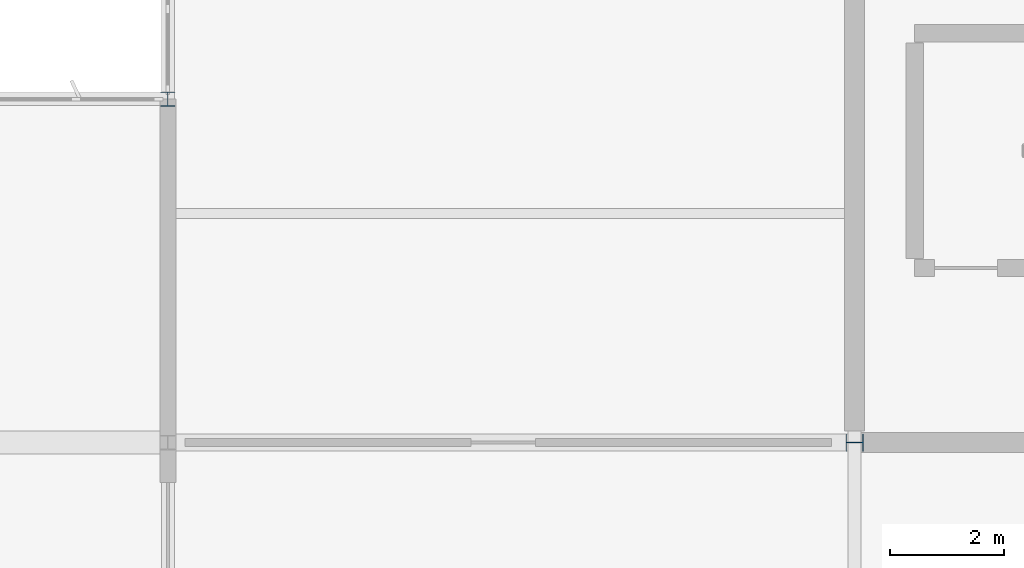
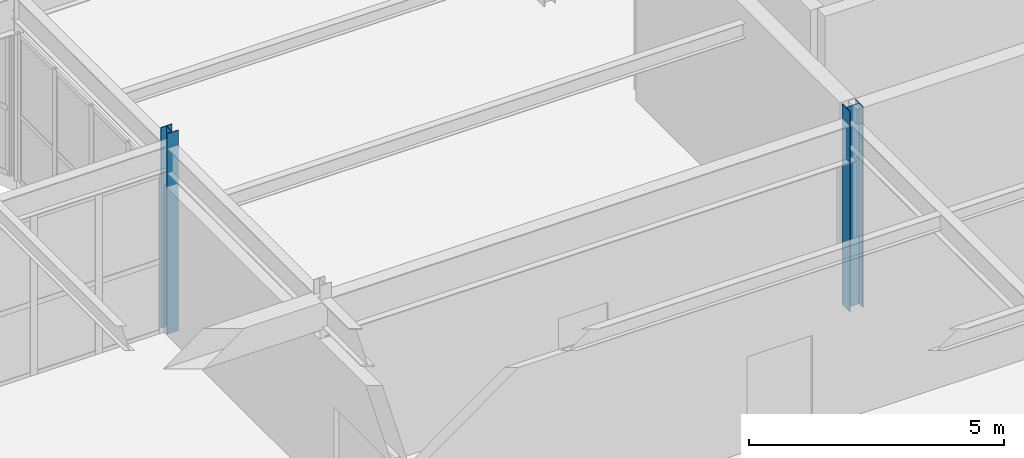
# One storey, part 36 of 186: 2 columns.
"""IFC4 building model written with IfcOpenShell, lengths in metres."""

from ifc_helpers import new_model, si_unit, direction, frame, origin, origin_2d, place, context, subcontext, project, spatial, i_section, extrude, material, material_profile, profile_set, type_object, element, save


model = new_model("IFC4")

# Units and contexts
model_context = context("Model", 3, precision=1e-05, world=origin(), true_north=direction((0.0, 1.0)))
body_context = subcontext(model_context, "Body", "Model", "MODEL_VIEW")
ifc_project = project(units=[si_unit("LENGTHUNIT", "METRE"), si_unit("AREAUNIT", "SQUARE_METRE"), si_unit("VOLUMEUNIT", "CUBIC_METRE"), si_unit("PLANEANGLEUNIT", "RADIAN"), si_unit("MASSUNIT", "GRAM", prefix="KILO")], contexts=[model_context])

# Site, building, storey
site_placement = place(None, origin())
site = spatial("IfcSite", under=ifc_project, at=site_placement, CompositionType="ELEMENT")
building_placement = place(site_placement, origin())
building = spatial("IfcBuilding", under=site, at=building_placement, Name="Tarnwether General Hospital", CompositionType="ELEMENT")
storey_placement = place(building_placement, frame((0.0, 0.0, 9.60009765625)))
storey = spatial("IfcBuildingStorey", under=building, at=storey_placement, Name="L02", CompositionType="ELEMENT", Elevation=9.60009765625)

# Columns
ifc_material_1 = material(Name="Steel Grade 350 (350 MPa)", Category="steel")
ifc_material_profile_1 = material_profile(ifc_material_1, i_section(OverallWidth=0.304931640625, OverallDepth=0.30810546875, WebThickness=0.010009765625, FlangeThickness=0.015380859375, at=origin_2d()), Name="310UC96.8")
ifc_profile_set_1 = profile_set([ifc_material_profile_1], Name="Steel Grade 350 (350 MPa)")
column_type_1 = type_object("IfcColumnType", Name="COL-08", PredefinedType="COLUMN", material=ifc_profile_set_1)
column_1_placement = place(storey_placement, frame((156.0, 21.60009765625, 0.0), z_axis=(0.0, 0.0, 1.0), x_axis=(0.0, 1.0, 0.0)))
element("IfcColumn", 1, at=column_1_placement, inside=storey, type_object=column_type_1, Name="Column COLG-L02-15600_2160", PredefinedType="COLUMN", context=body_context, shape_type="SweptSolid", body=[
    extrude(i_section(OverallWidth=0.304931640625, OverallDepth=0.30810546875, WebThickness=0.010009765625, FlangeThickness=0.015380859375, at=origin_2d()), origin(), (0.0, 0.0, 1.0), 4.7998046875),
])
ifc_material_2 = material(Name="Steel Grade 350 (350 MPa)", Category="steel")
ifc_material_profile_2 = material_profile(ifc_material_2, i_section(OverallWidth=0.25390625, OverallDepth=0.25390625, WebThickness=0.008544921875, FlangeThickness=0.01416015625, at=origin_2d()), Name="250UC72.9")
ifc_profile_set_2 = profile_set([ifc_material_profile_2], Name="Steel Grade 350 (350 MPa)")
column_type_2 = type_object("IfcColumnType", Name="COL-24", PredefinedType="COLUMN", material=ifc_profile_set_2)
column_2_placement = place(storey_placement, frame((144.0, 27.60009765625, 0.0), z_axis=(0.0, 0.0, 1.0), x_axis=(1.0, 0.0, 0.0)))
element("IfcColumn", 2, at=column_2_placement, inside=storey, type_object=column_type_2, Name="Column COLG-L02-14400_2760", PredefinedType="COLUMN", context=body_context, shape_type="SweptSolid", body=[
    extrude(i_section(OverallWidth=0.25390625, OverallDepth=0.25390625, WebThickness=0.008544921875, FlangeThickness=0.01416015625, at=origin_2d()), origin(), (0.0, 0.0, 1.0), 4.7998046875),
])

save(model, "model.ifc")
